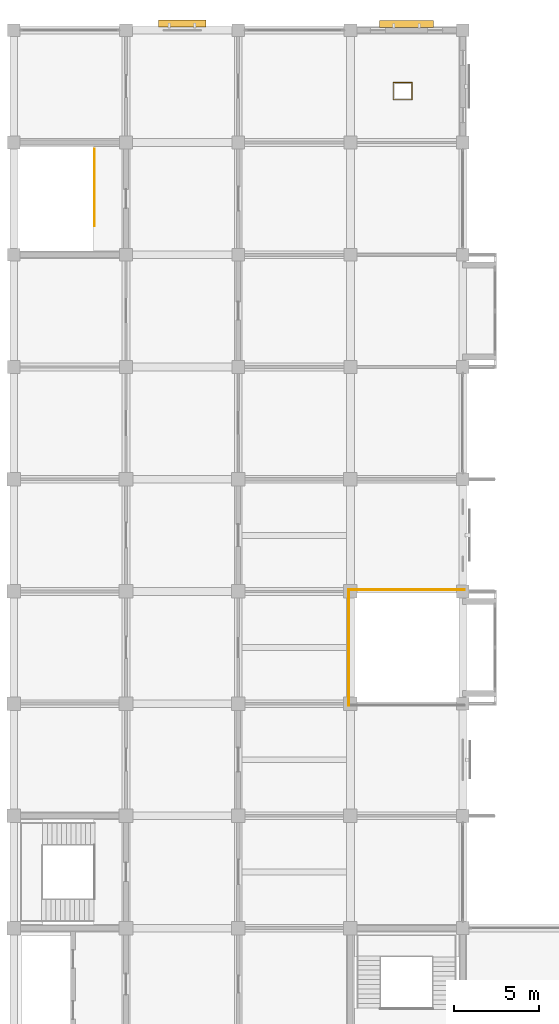
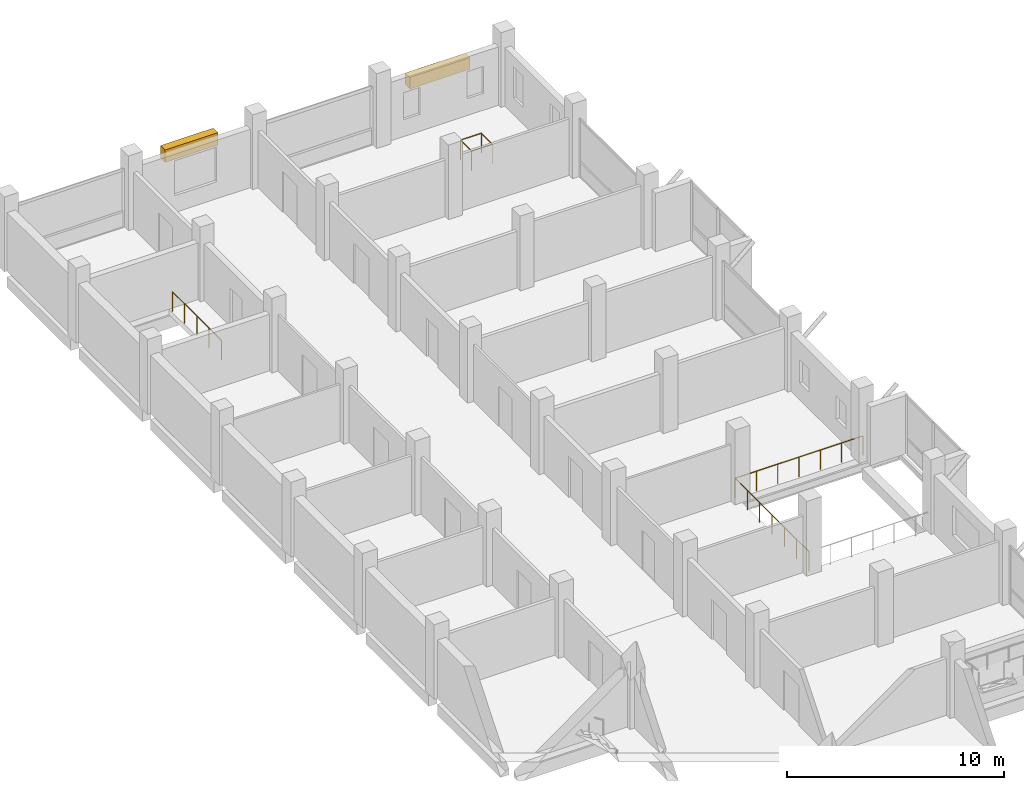
# One storey, part 14 of 14: 4 railings, 2 shading devices.
"""IFC4 building model written with IfcOpenShell, lengths in metres."""

from ifc_helpers import new_model, si_unit, direction, frame, origin, origin_2d, place, context, subcontext, project, spatial, rectangle, circle, extrude, material, type_object, element, save


model = new_model("IFC4")

# Units and contexts
model_context = context("Model", 3, precision=1e-05, world=origin(), true_north=direction((0.0, 1.0)))
body_context = subcontext(model_context, "Body", "Model", "MODEL_VIEW")
ifc_project = project(units=[si_unit("LENGTHUNIT", "METRE"), si_unit("AREAUNIT", "SQUARE_METRE"), si_unit("VOLUMEUNIT", "CUBIC_METRE"), si_unit("PLANEANGLEUNIT", "RADIAN"), si_unit("MASSUNIT", "GRAM", prefix="KILO")], contexts=[model_context])

# Site, building, storey
site_placement = place(None, origin())
site = spatial("IfcSite", under=ifc_project, at=site_placement, CompositionType="ELEMENT")
building_placement = place(site_placement, origin())
building = spatial("IfcBuilding", under=site, at=building_placement, Name="Rusizi Kubbe Research Institute", CompositionType="ELEMENT")
storey_placement = place(building_placement, frame((0.0, 0.0, 31.199951171875)))
storey = spatial("IfcBuildingStorey", under=building, at=storey_placement, Name="L07", CompositionType="ELEMENT", Elevation=31.199951171875)

# Railings
ifc_material_1 = material(Name="Painted Steel Stair Guard", Category="steel")
railing_type_1 = type_object("IfcRailingType", Name="GR-STAIR", PredefinedType="GUARDRAIL", material=ifc_material_1)
railing_1_placement = place(storey_placement, frame((4.75, 72.219970703125, 0.0)))
element("IfcRailing", 1, at=railing_1_placement, inside=storey, type_object=railing_type_1, Name="Top Landing Well Guard ST5 L07", PredefinedType="GUARDRAIL", context=body_context, shape_type="SweptSolid", body=[
    extrude(circle(Radius=0.02392578125, at=origin_2d()), frame((0.0, 0.0, 1.09619140625), z_axis=(0.0, -1.0, 0.0), x_axis=(1.0, 0.0, 0.0)), (0.0, 0.0, 1.0), 4.510009765625),
    extrude(circle(Radius=0.02099609375, at=origin_2d()), origin(), (0.0, 0.0, 1.0), 1.072021484375),
    extrude(circle(Radius=0.02099609375, at=origin_2d()), frame((0.0, -1.12744140625, 0.0)), (0.0, 0.0, 1.0), 1.072021484375),
    extrude(circle(Radius=0.02099609375, at=origin_2d()), frame((0.0, -2.2548828125, 0.0)), (0.0, 0.0, 1.0), 1.072021484375),
    extrude(circle(Radius=0.02099609375, at=origin_2d()), frame((0.0, -3.382568359375, 0.0)), (0.0, 0.0, 1.0), 1.072021484375),
    extrude(circle(Radius=0.02099609375, at=origin_2d()), frame((0.0, -4.510009765625, 0.0)), (0.0, 0.0, 1.0), 1.072021484375),
])
railing_2_placement = place(storey_placement, frame((22.320068359375, 75.1201171875, 0.0)))
element("IfcRailing", 2, at=railing_2_placement, inside=storey, type_object=railing_type_1, Name="Service Riser Guard L07 NORTHA", PredefinedType="GUARDRAIL", context=body_context, shape_type="SweptSolid", body=[
    extrude(circle(Radius=0.02392578125, at=origin_2d()), frame((0.0, 0.0, 1.09619140625), z_axis=(1.0, 0.0, 0.0), x_axis=(0.0, 1.0, 0.0)), (0.0, 0.0, 1.0), 1.10986328125),
    extrude(circle(Radius=0.02392578125, at=origin_2d()), frame((1.10986328125, 0.0, 1.09619140625), z_axis=(0.0, 1.0, 0.0), x_axis=(-1.0, 0.0, 0.0)), (0.0, 0.0, 1.0), 1.009765625),
    extrude(circle(Radius=0.02392578125, at=origin_2d()), frame((1.10986328125, 1.009765625, 1.09619140625), z_axis=(-1.0, 0.0, 0.0), x_axis=(0.0, -1.0, 0.0)), (0.0, 0.0, 1.0), 1.10986328125),
    extrude(circle(Radius=0.02392578125, at=origin_2d()), frame((0.0, 1.009765625, 1.09619140625), z_axis=(0.0, -1.0, 0.0), x_axis=(1.0, 0.0, 0.0)), (0.0, 0.0, 1.0), 1.009765625),
    extrude(circle(Radius=0.02099609375, at=origin_2d()), origin(), (0.0, 0.0, 1.0), 1.072021484375),
    extrude(circle(Radius=0.02099609375, at=origin_2d()), frame((1.10986328125, 0.0, 0.0)), (0.0, 0.0, 1.0), 1.072021484375),
    extrude(circle(Radius=0.02099609375, at=origin_2d()), frame((1.10986328125, 1.009765625, 0.0)), (0.0, 0.0, 1.0), 1.072021484375),
    extrude(circle(Radius=0.02099609375, at=origin_2d()), frame((0.0, 1.009765625, 0.0)), (0.0, 0.0, 1.0), 1.072021484375),
])
ifc_material_2 = material(Name="Tempered Glass and Bronze Atrium Balustrade", Category="steel")
railing_type_2 = type_object("IfcRailingType", Name="GR-VOID", PredefinedType="BALUSTRADE", material=ifc_material_2)
railing_3_placement = place(storey_placement, frame((19.699951171875, 46.300048828125, 0.0)))
element("IfcRailing", 3, at=railing_3_placement, inside=storey, type_object=railing_type_2, Name="Atrium Void Balustrade L07-02", PredefinedType="BALUSTRADE", context=body_context, shape_type="SweptSolid", body=[
    extrude(circle(Radius=0.02392578125, at=origin_2d()), frame((0.0, 0.0, 1.09619140625), z_axis=(1.0, 0.0, 0.0), x_axis=(0.0, 1.0, 0.0)), (0.0, 0.0, 1.0), 6.800048828125),
    extrude(circle(Radius=0.02099609375, at=origin_2d()), origin(), (0.0, 0.0, 1.0), 1.072021484375),
    extrude(circle(Radius=0.02099609375, at=origin_2d()), frame((1.13330078125, 0.0, 0.0)), (0.0, 0.0, 1.0), 1.072021484375),
    extrude(circle(Radius=0.02099609375, at=origin_2d()), frame((2.2666015625, 0.0, 0.0)), (0.0, 0.0, 1.0), 1.072021484375),
    extrude(circle(Radius=0.02099609375, at=origin_2d()), frame((3.39990234375, 0.0, 0.0)), (0.0, 0.0, 1.0), 1.072021484375),
    extrude(circle(Radius=0.02099609375, at=origin_2d()), frame((4.533447265625, 0.0, 0.0)), (0.0, 0.0, 1.0), 1.072021484375),
    extrude(circle(Radius=0.02099609375, at=origin_2d()), frame((5.666748046875, 0.0, 0.0)), (0.0, 0.0, 1.0), 1.072021484375),
    extrude(circle(Radius=0.02099609375, at=origin_2d()), frame((6.800048828125, 0.0, 0.0)), (0.0, 0.0, 1.0), 1.072021484375),
])
railing_4_placement = place(storey_placement, frame((19.699951171875, 39.5, 0.0)))
element("IfcRailing", 4, at=railing_4_placement, inside=storey, type_object=railing_type_2, Name="Atrium Void Balustrade L07-03", PredefinedType="BALUSTRADE", context=body_context, shape_type="SweptSolid", body=[
    extrude(circle(Radius=0.02392578125, at=origin_2d()), frame((0.0, 0.0, 1.09619140625), z_axis=(0.0, 1.0, 0.0), x_axis=(-1.0, 0.0, 0.0)), (0.0, 0.0, 1.0), 6.800048828125),
    extrude(circle(Radius=0.02099609375, at=origin_2d()), origin(), (0.0, 0.0, 1.0), 1.072021484375),
    extrude(circle(Radius=0.02099609375, at=origin_2d()), frame((0.0, 1.13330078125, 0.0)), (0.0, 0.0, 1.0), 1.072021484375),
    extrude(circle(Radius=0.02099609375, at=origin_2d()), frame((0.0, 2.2666015625, 0.0)), (0.0, 0.0, 1.0), 1.072021484375),
    extrude(circle(Radius=0.02099609375, at=origin_2d()), frame((0.0, 3.39990234375, 0.0)), (0.0, 0.0, 1.0), 1.072021484375),
    extrude(circle(Radius=0.02099609375, at=origin_2d()), frame((0.0, 4.533447265625, 0.0)), (0.0, 0.0, 1.0), 1.072021484375),
    extrude(circle(Radius=0.02099609375, at=origin_2d()), frame((0.0, 5.666748046875, 0.0)), (0.0, 0.0, 1.0), 1.072021484375),
    extrude(circle(Radius=0.02099609375, at=origin_2d()), frame((0.0, 6.800048828125, 0.0)), (0.0, 0.0, 1.0), 1.072021484375),
])

# Shading devices
ifc_material_3 = material(Name="Extruded Aluminium Solar Louver", Category="aluminium")
shading_device_type_1 = type_object("IfcShadingDeviceType", Name="SD-02", PredefinedType="SHUTTER", material=ifc_material_3)
shading_device_1_placement = place(storey_placement, frame((9.89990234375, 79.597412109375, 2.7001953125), z_axis=(0.0, 0.0, 1.0), x_axis=(1.0, 0.0, 0.0)))
element("IfcShadingDevice", 5, at=shading_device_1_placement, inside=storey, type_object=shading_device_type_1, Name="Solar Shading Louver SD-02-041", PredefinedType="SHUTTER", context=body_context, shape_type="SweptSolid", body=[
    extrude(rectangle(XDim=2.800048828125, YDim=0.419921875, at=origin_2d()), origin(), (0.0, 0.0, 1.0), 0.699951171875),
])
ifc_material_4 = material(Name="Extruded Aluminium Solar Louver", Category="aluminium")
shading_device_type_2 = type_object("IfcShadingDeviceType", Name="SD-03", PredefinedType="SHUTTER", material=ifc_material_4)
shading_device_2_placement = place(storey_placement, frame((23.10009765625, 79.58251953125, 2.28515625), z_axis=(0.0, 0.0, 1.0), x_axis=(1.0, 0.0, 0.0)))
element("IfcShadingDevice", 6, at=shading_device_2_placement, inside=storey, type_object=shading_device_type_2, Name="Solar Shading Louver SD-03-042", PredefinedType="SHUTTER", context=body_context, shape_type="SweptSolid", body=[
    extrude(rectangle(XDim=3.199951171875, YDim=0.419921875, at=origin_2d()), origin(), (0.0, 0.0, 1.0), 0.64990234375),
])

save(model, "model.ifc")
